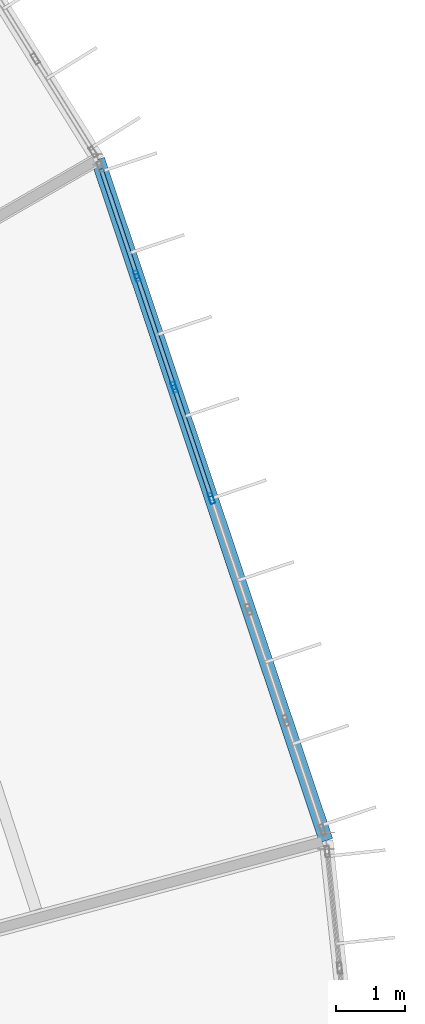
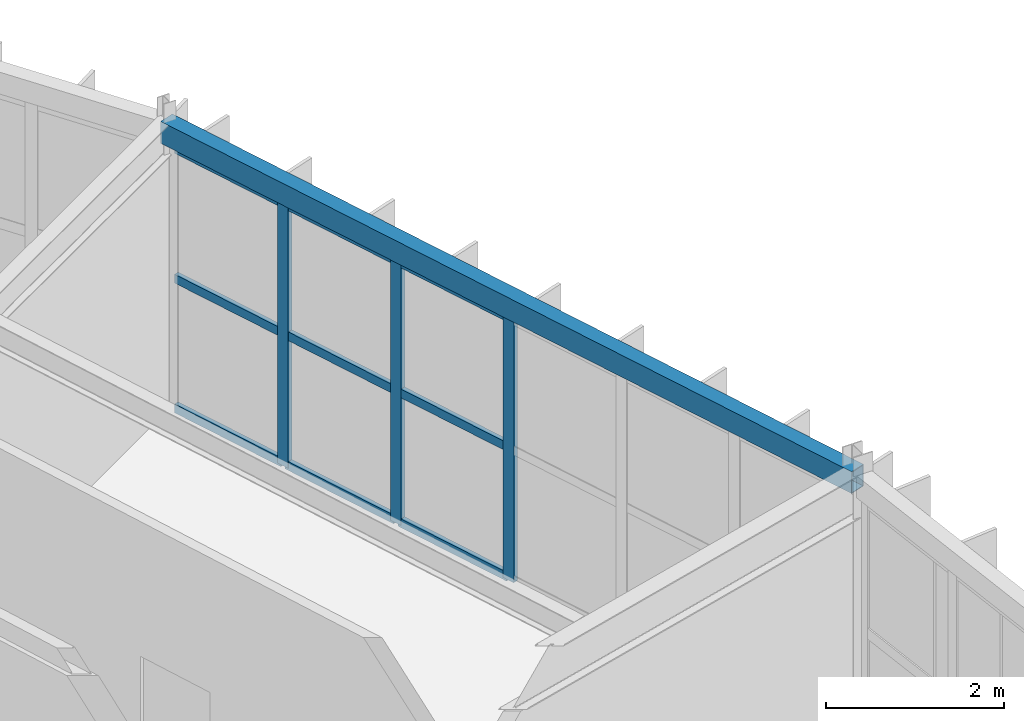
# One storey, part 70 of 106: 12 members, 1 beam, 1 element without a shape of its own.
"""IFC4 building model written with IfcOpenShell, lengths in metres."""

from ifc_helpers import new_model, si_unit, direction, frame, origin, origin_2d, place, context, subcontext, project, spatial, hollow_rectangle, extrude, material, material_profile, profile_set, type_object, element, aggregate, save


model = new_model("IFC4")

# Units and contexts
model_context = context("Model", 3, precision=1e-05, world=origin(), true_north=direction((0.0, 1.0)))
body_context = subcontext(model_context, "Body", "Model", "MODEL_VIEW")
ifc_project = project(units=[si_unit("LENGTHUNIT", "METRE"), si_unit("AREAUNIT", "SQUARE_METRE"), si_unit("VOLUMEUNIT", "CUBIC_METRE"), si_unit("PLANEANGLEUNIT", "RADIAN"), si_unit("MASSUNIT", "GRAM", prefix="KILO")], contexts=[model_context])

# Site, building, storey
site_placement = place(None, origin())
site = spatial("IfcSite", under=ifc_project, at=site_placement, CompositionType="ELEMENT")
building_placement = place(site_placement, origin())
building = spatial("IfcBuilding", under=site, at=building_placement, Name="Karori Crest Natural Sciences Institute", CompositionType="ELEMENT")
storey_placement = place(building_placement, frame((0.0, 0.0, 25.89990234375)))
storey = spatial("IfcBuildingStorey", under=building, at=storey_placement, Name="L06", CompositionType="ELEMENT", Elevation=25.89990234375)

# Beam
ifc_material_1 = material(Name="Hollow structural steel AS/NZS 1163 Grade C350", Category="steel")
ifc_material_profile_1 = material_profile(ifc_material_1, hollow_rectangle(XDim=0.199951171875, YDim=0.300048828125, WallThickness=0.010009765625, at=origin_2d()), Name="RHS300x200x10")
ifc_profile_set_1 = profile_set([ifc_material_profile_1], Name="Hollow structural steel AS/NZS 1163 Grade C350")
beam_type = type_object("IfcBeamType", Name="BT-15", PredefinedType="SPANDREL", material=ifc_profile_set_1)
beam_placement = place(storey_placement, frame((98.275634765625, 60.459716796875, 3.7900390625), z_axis=(-0.317681238028, 0.948197569605, 0.0), x_axis=(-0.948197569605, -0.317681238028, 0.0)))
element("IfcBeam", 1, at=beam_placement, inside=storey, type_object=beam_type, Name="Beam B-0621", PredefinedType="SPANDREL", context=body_context, shape_type="SweptSolid", body=[
    extrude(hollow_rectangle(XDim=0.199951171875, YDim=0.300048828125, WallThickness=0.010009765625, at=origin_2d()), origin(), (0.0, 0.0, 1.0), 10.3779296875),
])

# Curtain wall, members
ifc_material_2 = material(Name="Anodised architectural aluminium 6063-T6", Category="aluminium")
curtain_wall_type = type_object("IfcCurtainWallType", Name="CWT-02", PredefinedType="NOTDEFINED", material=ifc_material_2)
curtain_wall_placement = place(storey_placement, origin())
curtain_wall = element("IfcCurtainWall", 2, at=curtain_wall_placement, inside=storey, type_object=curtain_wall_type, Name="Curtain wall CW-0222", PredefinedType="NOTDEFINED")
ifc_material_profile_2 = material_profile(ifc_material_2, hollow_rectangle(XDim=0.06494140625, YDim=0.159912109375, WallThickness=0.00390625, at=origin_2d()), Name="CWM160x65x4")
ifc_profile_set_2 = profile_set([ifc_material_profile_2], Name="Anodised architectural aluminium 6063-T6")
member_type_1 = type_object("IfcMemberType", Name="CWM-01", PredefinedType="MULLION", material=ifc_profile_set_2)
member_1_placement = place(storey_placement, frame((95.54345703125, 68.614990234375, 0.0), z_axis=(0.0, 0.0, 1.0), x_axis=(0.94819805026, 0.317679803392, 0.0)))
member_1 = element("IfcMember", 3, at=member_1_placement, type_object=member_type_1, Name="CW-0222 mullion 2", PredefinedType="MULLION", context=body_context, shape_type="SweptSolid", body=[
    extrude(hollow_rectangle(XDim=0.06494140625, YDim=0.159912109375, WallThickness=0.00390625, at=origin_2d()), origin(), (0.0, 0.0, 1.0), 3.625),
])
member_2_placement = place(storey_placement, frame((96.08154296875, 67.0087890625, 0.0), z_axis=(0.0, 0.0, 1.0), x_axis=(0.94819805026, 0.317679803392, 0.0)))
member_2 = element("IfcMember", 4, at=member_2_placement, type_object=member_type_1, Name="CW-0222 mullion 3", PredefinedType="MULLION", context=body_context, shape_type="SweptSolid", body=[
    extrude(hollow_rectangle(XDim=0.06494140625, YDim=0.159912109375, WallThickness=0.00390625, at=origin_2d()), origin(), (0.0, 0.0, 1.0), 3.625),
])
member_3_placement = place(storey_placement, frame((96.619384765625, 65.40283203125, 0.0), z_axis=(0.0, 0.0, 1.0), x_axis=(0.94819805026, 0.317679803392, 0.0)))
member_3 = element("IfcMember", 5, at=member_3_placement, type_object=member_type_1, Name="CW-0222 mullion 4", PredefinedType="MULLION", context=body_context, shape_type="SweptSolid", body=[
    extrude(hollow_rectangle(XDim=0.06494140625, YDim=0.159912109375, WallThickness=0.00390625, at=origin_2d()), origin(), (0.0, 0.0, 1.0), 3.625),
])
ifc_material_profile_3 = material_profile(ifc_material_2, hollow_rectangle(XDim=0.06005859375, YDim=0.1201171875, WallThickness=0.00390625, at=origin_2d()), Name="CWT120x60x4")
ifc_profile_set_3 = profile_set([ifc_material_profile_3], Name="Anodised architectural aluminium 6063-T6")
member_type_2 = type_object("IfcMemberType", Name="CWT-TR1", PredefinedType="USERDEFINED", material=ifc_profile_set_3)
member_4_placement = place(storey_placement, frame((95.02587890625, 70.1591796875, 0.030029296875), z_axis=(0.317695793379, -0.9481926929, 0.0), x_axis=(0.9481926929, 0.317695793379, 0.0)))
member_4 = element("IfcMember", 6, at=member_4_placement, type_object=member_type_2, Name="CW-0222 transom 1.1", ObjectType="TRANSOM", PredefinedType="USERDEFINED", context=body_context, shape_type="SweptSolid", body=[
    extrude(hollow_rectangle(XDim=0.06005859375, YDim=0.1201171875, WallThickness=0.00390625, at=origin_2d()), origin(), (0.0, 0.0, 1.0), 1.59619140625),
])
member_5_placement = place(storey_placement, frame((95.02587890625, 70.1591796875, 1.8125), z_axis=(0.317695793379, -0.9481926929, 0.0), x_axis=(0.9481926929, 0.317695793379, 0.0)))
member_5 = element("IfcMember", 7, at=member_5_placement, type_object=member_type_2, Name="CW-0222 transom 1.2", ObjectType="TRANSOM", PredefinedType="USERDEFINED", context=body_context, shape_type="SweptSolid", body=[
    extrude(hollow_rectangle(XDim=0.06005859375, YDim=0.1201171875, WallThickness=0.00390625, at=origin_2d()), origin(), (0.0, 0.0, 1.0), 1.59619140625),
])
member_6_placement = place(storey_placement, frame((95.02587890625, 70.1591796875, 3.59521484375), z_axis=(0.317695793379, -0.9481926929, 0.0), x_axis=(0.9481926929, 0.317695793379, 0.0)))
member_6 = element("IfcMember", 8, at=member_6_placement, type_object=member_type_2, Name="CW-0222 transom 1.3", ObjectType="TRANSOM", PredefinedType="USERDEFINED", context=body_context, shape_type="SweptSolid", body=[
    extrude(hollow_rectangle(XDim=0.06005859375, YDim=0.1201171875, WallThickness=0.00390625, at=origin_2d()), origin(), (0.0, 0.0, 1.0), 1.59619140625),
])
member_7_placement = place(storey_placement, frame((95.5537109375, 68.583984375, 0.030029296875), z_axis=(0.317666571129, -0.948202483432, 0.0), x_axis=(0.948202483432, 0.317666571129, 0.0)))
member_7 = element("IfcMember", 9, at=member_7_placement, type_object=member_type_2, Name="CW-0222 transom 2.1", ObjectType="TRANSOM", PredefinedType="USERDEFINED", context=body_context, shape_type="SweptSolid", body=[
    extrude(hollow_rectangle(XDim=0.06005859375, YDim=0.1201171875, WallThickness=0.00390625, at=origin_2d()), origin(), (0.0, 0.0, 1.0), 1.628662109375),
])
member_8_placement = place(storey_placement, frame((95.5537109375, 68.583984375, 1.8125), z_axis=(0.317666571129, -0.948202483432, 0.0), x_axis=(0.948202483432, 0.317666571129, 0.0)))
member_8 = element("IfcMember", 10, at=member_8_placement, type_object=member_type_2, Name="CW-0222 transom 2.2", ObjectType="TRANSOM", PredefinedType="USERDEFINED", context=body_context, shape_type="SweptSolid", body=[
    extrude(hollow_rectangle(XDim=0.06005859375, YDim=0.1201171875, WallThickness=0.00390625, at=origin_2d()), origin(), (0.0, 0.0, 1.0), 1.628662109375),
])
member_9_placement = place(storey_placement, frame((95.5537109375, 68.583984375, 3.59521484375), z_axis=(0.317666571129, -0.948202483432, 0.0), x_axis=(0.948202483432, 0.317666571129, 0.0)))
member_9 = element("IfcMember", 11, at=member_9_placement, type_object=member_type_2, Name="CW-0222 transom 2.3", ObjectType="TRANSOM", PredefinedType="USERDEFINED", context=body_context, shape_type="SweptSolid", body=[
    extrude(hollow_rectangle(XDim=0.06005859375, YDim=0.1201171875, WallThickness=0.00390625, at=origin_2d()), origin(), (0.0, 0.0, 1.0), 1.628662109375),
])
member_10_placement = place(storey_placement, frame((96.091796875, 66.97802734375, 0.030029296875), z_axis=(0.317666571129, -0.948202483432, 0.0), x_axis=(0.948202483432, 0.317666571129, 0.0)))
member_10 = element("IfcMember", 12, at=member_10_placement, type_object=member_type_2, Name="CW-0222 transom 3.1", ObjectType="TRANSOM", PredefinedType="USERDEFINED", context=body_context, shape_type="SweptSolid", body=[
    extrude(hollow_rectangle(XDim=0.06005859375, YDim=0.1201171875, WallThickness=0.00390625, at=origin_2d()), origin(), (0.0, 0.0, 1.0), 1.628662109375),
])
member_11_placement = place(storey_placement, frame((96.091796875, 66.97802734375, 1.8125), z_axis=(0.317666571129, -0.948202483432, 0.0), x_axis=(0.948202483432, 0.317666571129, 0.0)))
member_11 = element("IfcMember", 13, at=member_11_placement, type_object=member_type_2, Name="CW-0222 transom 3.2", ObjectType="TRANSOM", PredefinedType="USERDEFINED", context=body_context, shape_type="SweptSolid", body=[
    extrude(hollow_rectangle(XDim=0.06005859375, YDim=0.1201171875, WallThickness=0.00390625, at=origin_2d()), origin(), (0.0, 0.0, 1.0), 1.628662109375),
])
member_12_placement = place(storey_placement, frame((96.091796875, 66.97802734375, 3.59521484375), z_axis=(0.317666571129, -0.948202483432, 0.0), x_axis=(0.948202483432, 0.317666571129, 0.0)))
member_12 = element("IfcMember", 14, at=member_12_placement, type_object=member_type_2, Name="CW-0222 transom 3.3", ObjectType="TRANSOM", PredefinedType="USERDEFINED", context=body_context, shape_type="SweptSolid", body=[
    extrude(hollow_rectangle(XDim=0.06005859375, YDim=0.1201171875, WallThickness=0.00390625, at=origin_2d()), origin(), (0.0, 0.0, 1.0), 1.628662109375),
])
aggregate(curtain_wall, [member_1, member_2, member_3, member_4, member_5, member_6, member_7, member_8, member_9, member_10, member_11, member_12])

save(model, "model.ifc")
